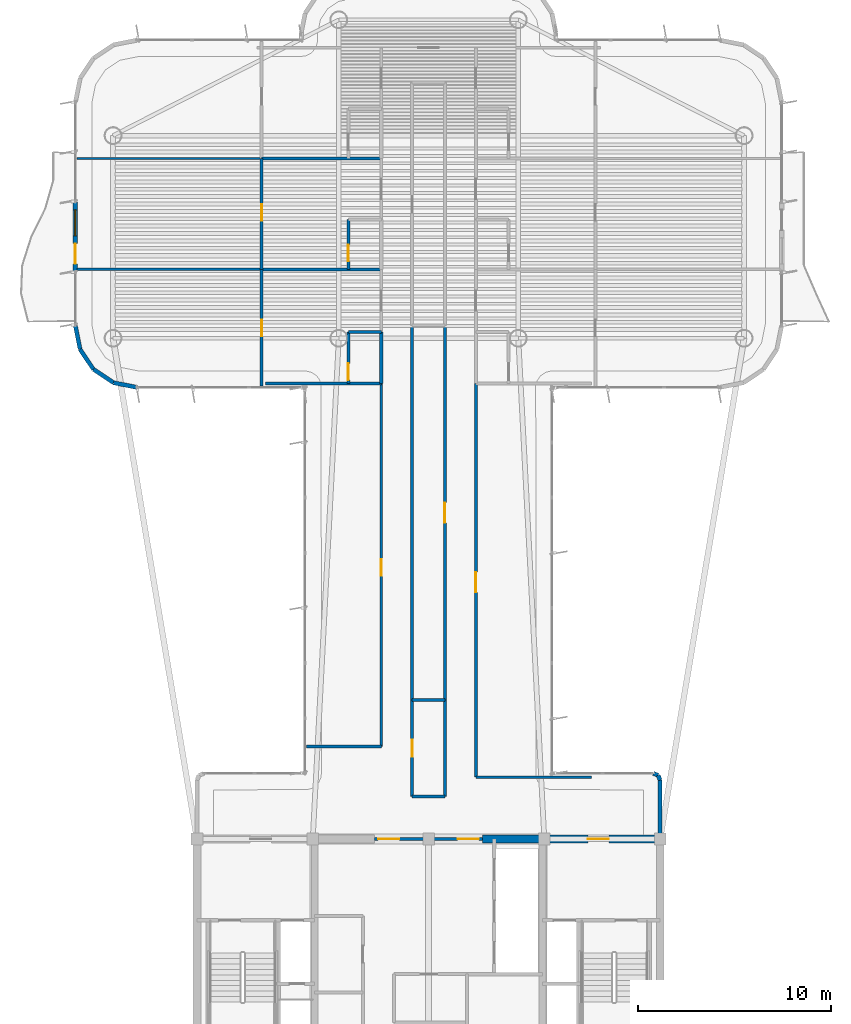
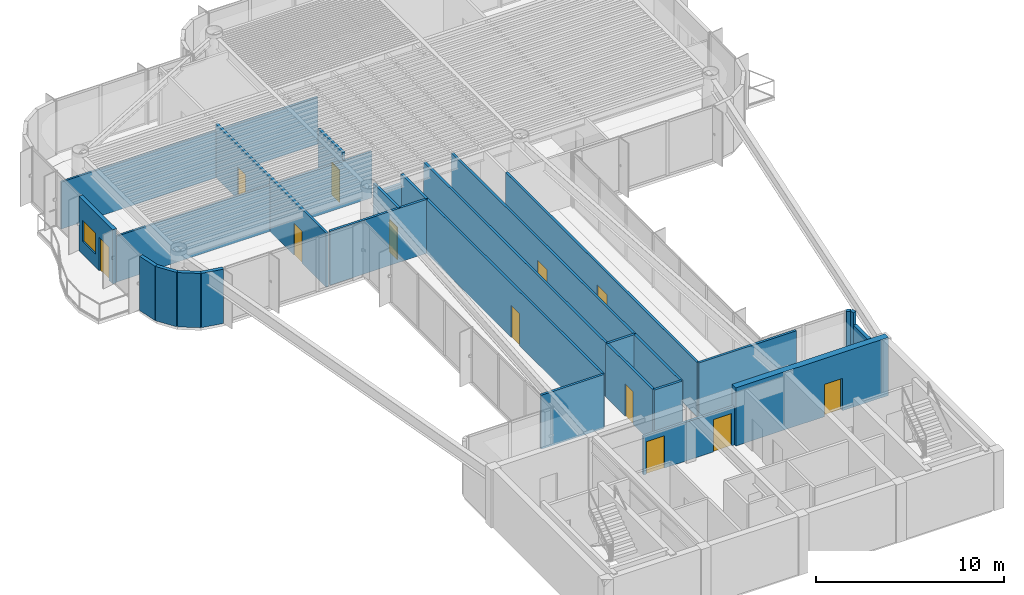
# One storey, part 11 of 16: 31 walls, 12 doors, 1 window, 13 openings.
"""IFC4 building model written with IfcOpenShell, lengths in metres."""

from ifc_helpers import new_model, si_unit, direction, frame, frame_2d, origin, origin_2d, place, context, subcontext, project, spatial, rectangle, extrude, source, transform, mapped, material, layer, layer_set, type_object, element, fill, save


model = new_model("IFC4")

# Units and contexts
model_context = context("Model", 3, precision=1e-05, world=origin(), true_north=direction((0.0, 1.0)))
body_context = subcontext(model_context, "Body", "Model", "MODEL_VIEW")
ifc_project = project(units=[si_unit("LENGTHUNIT", "METRE"), si_unit("AREAUNIT", "SQUARE_METRE"), si_unit("VOLUMEUNIT", "CUBIC_METRE"), si_unit("PLANEANGLEUNIT", "RADIAN"), si_unit("MASSUNIT", "GRAM", prefix="KILO")], contexts=[model_context])

# Site, building, storey
site_placement = place(None, origin())
site = spatial("IfcSite", under=ifc_project, at=site_placement, CompositionType="ELEMENT")
building_placement = place(site_placement, origin())
building = spatial("IfcBuilding", under=site, at=building_placement, Name="Brelvock Crest Care Tower", CompositionType="ELEMENT")
storey_placement = place(building_placement, frame((0.0, 0.0, 234.360107421875)))
storey = spatial("IfcBuildingStorey", under=building, at=storey_placement, Name="L59", CompositionType="ELEMENT", Elevation=234.360107421875)

# Wall, opening, door
ifc_material_1 = material(Name="Concrete S65 (65 MPa)", Category="concrete")
ifc_layer_1 = layer(ifc_material_1, 0.39990234375, Name="WL-CS4")
ifc_layer_set_1 = layer_set([ifc_layer_1], Name="Concrete S65 (65 MPa)")
wall_type_1 = type_object("IfcWallType", Name="WL-CS4", PredefinedType="SHEAR", material=ifc_layer_set_1)
wall_1_placement = place(storey_placement, frame((38.800048828125, 18.0, 0.0), z_axis=(0.0, 0.0, 1.0), x_axis=(1.0, 0.0, 0.0)))
wall_1 = element("IfcWall", 1, at=wall_1_placement, inside=storey, type_object=wall_type_1, Name="L59 Core North-East Shear Wall", PredefinedType="SHEAR", context=body_context, shape_type="SweptSolid", body=[
    extrude(rectangle(XDim=9.39990234375, YDim=0.39990234375, at=frame_2d((4.699951171875, 0.0))), origin(), (0.0, 0.0, 1.0), 3.77978515625),
])
opening_1_placement = place(wall_1_placement, frame((5.449951171875, 0.0, 0.0)))
opening_1 = element("IfcOpeningElement", 2, at=opening_1_placement, cuts=wall_1, Name="Opening FD-1", PredefinedType="OPENING", context=body_context, shape_type="SweptSolid", body=[
    extrude(rectangle(XDim=1.10009765625, YDim=2.10009765625, at=origin_2d()), frame((0.550048828125, 0.2099609375, 1.050048828125), z_axis=(0.0, -1.0, 0.0), x_axis=(1.0, 0.0, 0.0)), (0.0, 0.0, 1.0), 0.419921875),
])
ifc_material_2 = material(Name="Steel Grade 350", Category="steel")
door_type_1 = type_object("IfcDoorType", Name="DR-FFL1", OperationType="NOTDEFINED", PredefinedType="DOOR", material=ifc_material_2)
shared_shape_1 = source(origin(), body_context, "Body", "SweptSolid", [
    extrude(rectangle(XDim=1.10009765625, YDim=2.10009765625, at=origin_2d()), frame((0.550048828125, 0.02490234375, 1.050048828125), z_axis=(0.0, -1.0, 0.0), x_axis=(1.0, 0.0, 0.0)), (0.0, 0.0, 1.0), 0.050048828125),
])
door_1_placement = place(opening_1_placement, origin())
door_1 = element("IfcDoor", 3, at=door_1_placement, inside=storey, type_object=door_type_1, Name="L59 Firefighting Lobby FFL-2 Exit Door", OperationType="SINGLE_SWING_RIGHT", OverallHeight=2.10009765625, OverallWidth=1.10009765625, PredefinedType="DOOR", context=body_context, shape_type="MappedRepresentation", body=[
    mapped(shared_shape_1, transform((0.0, 0.0, 0.0), x_axis=(1.0, 0.0, 0.0), y_axis=(0.0, 1.0, 0.0), z_axis=(0.0, 0.0, 1.0), scale=1.0)),
])
fill(opening_1, door_1)

# Wall, openings, door, window
ifc_material_3 = material(Name="Precast concrete N40 (40 MPa)", Category="concrete")
ifc_layer_2 = layer(ifc_material_3, 0.239990234375, Name="WL-EX1")
ifc_layer_set_2 = layer_set([ifc_layer_2], Name="Precast concrete N40 (40 MPa)")
wall_type_2 = type_object("IfcWallType", Name="WL-EX1", PredefinedType="SOLIDWALL", material=ifc_layer_set_2)
wall_2_placement = place(storey_placement, frame((17.699951171875, 47.39990234375, 0.0), z_axis=(0.0, 0.0, 1.0), x_axis=(0.0, 1.0, 0.0)))
wall_2 = element("IfcWall", 4, at=wall_2_placement, inside=storey, type_object=wall_type_2, Name="L59 Exterior Spandrel Wall WL-BAL-L59-W", PredefinedType="SOLIDWALL", context=body_context, shape_type="SweptSolid", body=[
    extrude(rectangle(XDim=3.60009765625, YDim=0.239990234375, at=frame_2d((1.800048828125, 0.0))), origin(), (0.0, 0.0, 1.0), 3.52978515625),
])
opening_2_placement = place(wall_2_placement, frame((0.39990234375, 0.0, 0.0)))
opening_2 = element("IfcOpeningElement", 5, at=opening_2_placement, cuts=wall_2, Name="Opening BD-1", PredefinedType="OPENING", context=body_context, shape_type="SweptSolid", body=[
    extrude(rectangle(XDim=1.050048828125, YDim=2.14990234375, at=origin_2d()), frame((0.52490234375, 0.1298828125, 1.074951171875), z_axis=(0.0, -1.0, 0.0), x_axis=(1.0, 0.0, 0.0)), (0.0, 0.0, 1.0), 0.260009765625),
])
opening_3_placement = place(wall_2_placement, frame((1.85009765625, 0.0, 0.85009765625)))
opening_3 = element("IfcOpeningElement", 6, at=opening_3_placement, cuts=wall_2, Name="Opening W-01", PredefinedType="OPENING", context=body_context, shape_type="SweptSolid", body=[
    extrude(rectangle(XDim=1.35009765625, YDim=1.35009765625, at=origin_2d()), frame((0.675048828125, 0.1298828125, 0.675048828125), z_axis=(0.0, -1.0, 0.0), x_axis=(1.0, 0.0, 0.0)), (0.0, 0.0, 1.0), 0.260009765625),
])
ifc_material_4 = material(Name="Dark Glass Double Glazed Low-E", Category="glass")
door_type_2 = type_object("IfcDoorType", Name="DR-BAL1", OperationType="NOTDEFINED", PredefinedType="DOOR", material=ifc_material_4)
shared_shape_2 = source(origin(), body_context, "Body", "SweptSolid", [
    extrude(rectangle(XDim=1.050048828125, YDim=2.14990234375, at=origin_2d()), frame((0.52490234375, 0.02490234375, 1.074951171875), z_axis=(0.0, -1.0, 0.0), x_axis=(1.0, 0.0, 0.0)), (0.0, 0.0, 1.0), 0.050048828125),
])
door_2_placement = place(opening_2_placement, origin())
door_2 = element("IfcDoor", 7, at=door_2_placement, inside=storey, type_object=door_type_2, Name="L59 W Wave Balcony Glazed Door", OperationType="SINGLE_SWING_LEFT", OverallHeight=2.14990234375, OverallWidth=1.050048828125, PredefinedType="DOOR", context=body_context, shape_type="MappedRepresentation", body=[
    mapped(shared_shape_2, transform((0.0, 0.0, 0.0), x_axis=(1.0, 0.0, 0.0), y_axis=(0.0, 1.0, 0.0), z_axis=(0.0, 0.0, 1.0), scale=1.0)),
])
fill(opening_2, door_2)
window_type = type_object("IfcWindowType", Name="WN-EX1", PartitioningType="SINGLE_PANEL", PredefinedType="WINDOW", material=ifc_material_4)
shared_shape_3 = source(origin(), body_context, "Body", "SweptSolid", [
    extrude(rectangle(XDim=1.35009765625, YDim=1.35009765625, at=origin_2d()), frame((0.675048828125, 0.030029296875, 0.675048828125), z_axis=(0.0, -1.0, 0.0), x_axis=(1.0, 0.0, 0.0)), (0.0, 0.0, 1.0), 0.06005859375),
])
window_placement = place(opening_3_placement, origin())
window = element("IfcWindow", 8, at=window_placement, inside=storey, type_object=window_type, Name="L59 W Suite Casement Window", OverallHeight=1.35009765625, OverallWidth=1.35009765625, PartitioningType="SINGLE_PANEL", PredefinedType="WINDOW", context=body_context, shape_type="MappedRepresentation", body=[
    mapped(shared_shape_3, transform((0.0, 0.0, 0.0), x_axis=(1.0, 0.0, 0.0), y_axis=(0.0, 1.0, 0.0), z_axis=(0.0, 0.0, 1.0), scale=1.0)),
])
fill(opening_3, window)

# Walls
ifc_layer_3 = layer(ifc_material_3, 0.215087890625, Name="WL-EX2")
ifc_layer_set_3 = layer_set([ifc_layer_3], Name="Precast concrete N40 (40 MPa)")
wall_type_3 = type_object("IfcWallType", Name="WL-EX2", PredefinedType="SOLIDWALL", material=ifc_layer_set_3)
wall_3_placement = place(storey_placement, frame((47.8974609375, 21.297607421875, 0.0), z_axis=(0.0, 0.0, 1.0), x_axis=(0.382673670509, -0.923883575944, 0.0)))
element("IfcWall", 9, at=wall_3_placement, inside=storey, type_object=wall_type_3, Name="L59 Rounded Corner Wall 00", PredefinedType="SOLIDWALL", context=body_context, shape_type="SweptSolid", body=[
    extrude(rectangle(XDim=0.26806640625, YDim=0.215087890625, at=frame_2d((0.134033203125, 0.0))), origin(), (0.0, 0.0, 1.0), 3.52978515625),
])
wall_4_placement = place(storey_placement, frame((48.0, 21.050048828125, 0.0), z_axis=(0.0, 0.0, 1.0), x_axis=(0.0, -1.0, 0.0)))
element("IfcWall", 10, at=wall_4_placement, inside=storey, type_object=wall_type_3, Name="L59 Rounded Corner Wall 01", PredefinedType="SOLIDWALL", context=body_context, shape_type="SweptSolid", body=[
    extrude(rectangle(XDim=2.77001953125, YDim=0.215087890625, at=frame_2d((1.385009765625, 0.0))), origin(), (0.0, 0.0, 1.0), 2.7177734375),
])
for number, where, z_axis, x_axis, name in (
    (11, (20.89990234375, 41.39990234375, 0.0), (0.0, 0.0, 1.0), (-0.980775717779, 0.195138390419, 0.0), "L59 Rounded Corner Wall 13"),
    (12, (19.67529296875, 41.6435546875, 0.0), (0.0, 0.0, 1.0), (-0.831387912822, 0.555692485475, 0.0), "L59 Rounded Corner Wall 14"),
    (13, (18.63720703125, 42.33740234375, 0.0), (0.0, 0.0, 1.0), (-0.555557312883, 0.831478245117, 0.0), "L59 Rounded Corner Wall 15"),
    (14, (17.943603515625, 43.37548828125, 0.0), (0.0, 0.0, 1.0), (-0.195138390419, 0.980775717779, 0.0), "L59 Rounded Corner Wall 16"),
):
    element("IfcWall", number, at=place(storey_placement, frame(where, z_axis=z_axis, x_axis=x_axis)), inside=storey, type_object=wall_type_3, Name=name, PredefinedType="SOLIDWALL", context=body_context, shape_type="SweptSolid", body=[
        extrude(rectangle(XDim=1.24853515625, YDim=0.215087890625, at=frame_2d((0.624267578125, 0.0))), origin(), (0.0, 0.0, 1.0), 3.52978515625),
    ])
wall_5_placement = place(storey_placement, frame((47.64990234375, 21.39990234375, 0.0), z_axis=(0.0, 0.0, 1.0), x_axis=(0.924205486139, -0.381895560841, 0.0)))
element("IfcWall", 15, at=wall_5_placement, inside=storey, type_object=wall_type_3, Name="L59 Rounded Corner Wall 47", PredefinedType="SOLIDWALL", context=body_context, shape_type="SweptSolid", body=[
    extrude(rectangle(XDim=0.267822265625, YDim=0.215087890625, at=frame_2d((0.1337890625, 0.0))), origin(), (0.0, 0.0, 1.0), 3.52978515625),
])

# Wall, openings, doors
ifc_material_5 = material(Name="Masonry Blockwork Acoustic Partition", Category="masonry")
ifc_layer_4 = layer(ifc_material_5, 0.14990234375, Name="WL-INT1")
ifc_layer_set_4 = layer_set([ifc_layer_4], Name="Masonry Blockwork Acoustic Partition")
wall_type_4 = type_object("IfcWallType", Name="WL-INT1", PredefinedType="PARTITIONING", material=ifc_layer_set_4)
wall_6_placement = place(storey_placement, frame((33.199951171875, 18.0, 0.0), z_axis=(0.0, 0.0, 1.0), x_axis=(1.0, 0.0, 0.0)))
wall_6 = element("IfcWall", 16, at=wall_6_placement, inside=storey, type_object=wall_type_4, Name="L59 Interior Wall WL-CORE-NPORT-L59", PredefinedType="PARTITIONING", context=body_context, shape_type="SweptSolid", body=[
    extrude(rectangle(XDim=5.60009765625, YDim=0.14990234375, at=frame_2d((2.800048828125, 0.0))), origin(), (0.0, 0.0, 1.0), 2.514892578125),
])
opening_4_placement = place(wall_6_placement, frame((0.18994140625, 0.0, 0.0)))
opening_4 = element("IfcOpeningElement", 17, at=opening_4_placement, cuts=wall_6, Name="Opening FD-1", PredefinedType="OPENING", context=body_context, shape_type="SweptSolid", body=[
    extrude(rectangle(XDim=1.10009765625, YDim=2.10009765625, at=origin_2d()), frame((0.550048828125, 0.0849609375, 1.050048828125), z_axis=(0.0, -1.0, 0.0), x_axis=(1.0, 0.0, 0.0)), (0.0, 0.0, 1.0), 0.169921875),
])
opening_5_placement = place(wall_6_placement, frame((4.31005859375, 0.0, 0.0)))
opening_5 = element("IfcOpeningElement", 18, at=opening_5_placement, cuts=wall_6, Name="Opening FD-1", PredefinedType="OPENING", context=body_context, shape_type="SweptSolid", body=[
    extrude(rectangle(XDim=1.10009765625, YDim=2.10009765625, at=origin_2d()), frame((0.550048828125, 0.0849609375, 1.050048828125), z_axis=(0.0, -1.0, 0.0), x_axis=(1.0, 0.0, 0.0)), (0.0, 0.0, 1.0), 0.169921875),
])
door_3_placement = place(opening_4_placement, origin())
door_3 = element("IfcDoor", 19, at=door_3_placement, inside=storey, type_object=door_type_1, Name="L59 Lift Lobby North Smoke Door West", OperationType="SINGLE_SWING_LEFT", OverallHeight=2.10009765625, OverallWidth=1.10009765625, PredefinedType="DOOR", context=body_context, shape_type="MappedRepresentation", body=[
    mapped(shared_shape_1, transform((0.0, 0.0, 0.0), x_axis=(1.0, 0.0, 0.0), y_axis=(0.0, 1.0, 0.0), z_axis=(0.0, 0.0, 1.0), scale=1.0)),
])
fill(opening_4, door_3)
door_4_placement = place(opening_5_placement, origin())
door_4 = element("IfcDoor", 20, at=door_4_placement, inside=storey, type_object=door_type_1, Name="L59 Lift Lobby North Smoke Door East", OperationType="SINGLE_SWING_RIGHT", OverallHeight=2.10009765625, OverallWidth=1.10009765625, PredefinedType="DOOR", context=body_context, shape_type="MappedRepresentation", body=[
    mapped(shared_shape_1, transform((0.0, 0.0, 0.0), x_axis=(1.0, 0.0, 0.0), y_axis=(0.0, 1.0, 0.0), z_axis=(0.0, 0.0, 1.0), scale=1.0)),
])
fill(opening_5, door_4)

# Walls
wall_7_placement = place(storey_placement, frame((38.449951171875, 21.199951171875, 0.0), z_axis=(0.0, 0.0, 1.0), x_axis=(1.0, 0.0, 0.0)))
element("IfcWall", 21, at=wall_7_placement, inside=storey, type_object=wall_type_4, Name="L59 Interior Wall WL-BX-L59-THRE-S", PredefinedType="PARTITIONING", context=body_context, shape_type="SweptSolid", body=[
    extrude(rectangle(XDim=5.9931640625, YDim=0.14990234375, at=frame_2d((2.99658203125, 0.0))), origin(), (0.0, 0.0, 1.0), 3.5),
])
wall_8_placement = place(storey_placement, frame((29.678466796875, 22.800048828125, 0.0), z_axis=(0.0, 0.0, 1.0), x_axis=(1.0, 0.0, 0.0)))
element("IfcWall", 22, at=wall_8_placement, inside=storey, type_object=wall_type_4, Name="L59 Interior Wall WL-BX-L59-THRW-S", PredefinedType="PARTITIONING", context=body_context, shape_type="SweptSolid", body=[
    extrude(rectangle(XDim=3.87158203125, YDim=0.14990234375, at=frame_2d((1.935791015625, 0.0))), origin(), (0.0, 0.0, 1.0), 3.5),
])
wall_9_placement = place(storey_placement, frame((27.557861328125, 41.60009765625, 0.0), z_axis=(0.0, 0.0, 1.0), x_axis=(1.0, 0.0, 0.0)))
element("IfcWall", 23, at=wall_9_placement, inside=storey, type_object=wall_type_4, Name="L59 Interior Wall WL-BX-L59-CS-WS1-S", PredefinedType="PARTITIONING", context=body_context, shape_type="SweptSolid", body=[
    extrude(rectangle(XDim=5.9921875, YDim=0.14990234375, at=frame_2d((2.99609375, 0.0))), origin(), (0.0, 0.0, 1.0), 3.5),
])
wall_10_placement = place(storey_placement, frame((27.35009765625, 47.51611328125, 0.0), z_axis=(0.0, 0.0, 1.0), x_axis=(1.0, 0.0, 0.0)))
element("IfcWall", 24, at=wall_10_placement, inside=storey, type_object=wall_type_4, Name="L59 Interior Wall WL-BX-L59-CS-WS1-N", PredefinedType="PARTITIONING", context=body_context, shape_type="SweptSolid", body=[
    extrude(rectangle(XDim=6.199951171875, YDim=0.14990234375, at=frame_2d((3.10009765625, 0.0))), origin(), (0.0, 0.0, 1.0), 2.98193359375),
])
wall_11_placement = place(storey_placement, frame((27.35009765625, 53.258056640625, 0.0), z_axis=(0.0, 0.0, 1.0), x_axis=(1.0, 0.0, 0.0)))
element("IfcWall", 25, at=wall_11_placement, inside=storey, type_object=wall_type_4, Name="L59 Interior Wall WL-BX-L59-CS-WS2-N", PredefinedType="PARTITIONING", context=body_context, shape_type="SweptSolid", body=[
    extrude(rectangle(XDim=6.199951171875, YDim=0.14990234375, at=frame_2d((3.10009765625, 0.0))), origin(), (0.0, 0.0, 1.0), 3.054931640625),
])

# Wall, opening, door
wall_12_placement = place(storey_placement, frame((27.35009765625, 41.47998046875, 0.0), z_axis=(0.0, 0.0, 1.0), x_axis=(0.0, 1.0, 0.0)))
wall_12 = element("IfcWall", 26, at=wall_12_placement, inside=storey, type_object=wall_type_4, Name="L59 Interior Wall WL-RM-L59-WS1S", PredefinedType="PARTITIONING", context=body_context, shape_type="SweptSolid", body=[
    extrude(rectangle(XDim=6.0361328125, YDim=0.14990234375, at=frame_2d((3.01806640625, 0.0))), origin(), (0.0, 0.0, 1.0), 3.5),
])
opening_6_placement = place(wall_12_placement, frame((2.56005859375, 0.0, 0.0)))
opening_6 = element("IfcOpeningElement", 27, at=opening_6_placement, cuts=wall_12, Name="Opening ID-1", PredefinedType="OPENING", context=body_context, shape_type="SweptSolid", body=[
    extrude(rectangle(XDim=0.860107421875, YDim=2.10009765625, at=origin_2d()), frame((0.43017578125, 0.0849609375, 1.050048828125), z_axis=(0.0, -1.0, 0.0), x_axis=(1.0, 0.0, 0.0)), (0.0, 0.0, 1.0), 0.169921875),
])
ifc_material_6 = material(Name="Engineered Hardwood Timber", Category="wood")
door_type_3 = type_object("IfcDoorType", Name="DR-INT1", OperationType="NOTDEFINED", PredefinedType="DOOR", material=ifc_material_6)
shared_shape_4 = source(origin(), body_context, "Body", "SweptSolid", [
    extrude(rectangle(XDim=0.860107421875, YDim=2.10009765625, at=origin_2d()), frame((0.43017578125, 0.02490234375, 1.050048828125), z_axis=(0.0, -1.0, 0.0), x_axis=(1.0, 0.0, 0.0)), (0.0, 0.0, 1.0), 0.050048828125),
])
door_5_placement = place(opening_6_placement, origin())
door_5 = element("IfcDoor", 28, at=door_5_placement, inside=storey, type_object=door_type_3, Name="L59 Assisted Care Mobility Store Door WS1S", OperationType="SINGLE_SWING_LEFT", OverallHeight=2.10009765625, OverallWidth=0.860107421875, PredefinedType="DOOR", context=body_context, shape_type="MappedRepresentation", body=[
    mapped(shared_shape_4, transform((0.0, 0.0, 0.0), x_axis=(1.0, 0.0, 0.0), y_axis=(0.0, 1.0, 0.0), z_axis=(0.0, 0.0, 1.0), scale=1.0)),
])
fill(opening_6, door_5)

wall_13_placement = place(storey_placement, frame((27.35009765625, 47.51611328125, 0.0), z_axis=(0.0, 0.0, 1.0), x_axis=(0.0, 1.0, 0.0)))
wall_13 = element("IfcWall", 29, at=wall_13_placement, inside=storey, type_object=wall_type_4, Name="L59 Interior Wall WL-RM-L59-WS2S", PredefinedType="PARTITIONING", context=body_context, shape_type="SweptSolid", body=[
    extrude(rectangle(XDim=5.741943359375, YDim=0.14990234375, at=frame_2d((2.87109375, 0.0))), origin(), (0.0, 0.0, 1.0), 3.5),
])
opening_7_placement = place(wall_13_placement, frame((2.52392578125, 0.0, 0.0)))
opening_7 = element("IfcOpeningElement", 30, at=opening_7_placement, cuts=wall_13, Name="Opening ID-1", PredefinedType="OPENING", context=body_context, shape_type="SweptSolid", body=[
    extrude(rectangle(XDim=0.860107421875, YDim=2.10009765625, at=origin_2d()), frame((0.43017578125, 0.0849609375, 1.050048828125), z_axis=(0.0, -1.0, 0.0), x_axis=(1.0, 0.0, 0.0)), (0.0, 0.0, 1.0), 0.169921875),
])
door_6_placement = place(opening_7_placement, origin())
door_6 = element("IfcDoor", 31, at=door_6_placement, inside=storey, type_object=door_type_3, Name="L59 Assisted Care Mobility Store Door WS2S", OperationType="SINGLE_SWING_LEFT", OverallHeight=2.10009765625, OverallWidth=0.860107421875, PredefinedType="DOOR", context=body_context, shape_type="MappedRepresentation", body=[
    mapped(shared_shape_4, transform((0.0, 0.0, 0.0), x_axis=(1.0, 0.0, 0.0), y_axis=(0.0, 1.0, 0.0), z_axis=(0.0, 0.0, 1.0), scale=1.0)),
])
fill(opening_7, door_6)

wall_14_placement = place(storey_placement, frame((33.550048828125, 22.800048828125, 0.0), z_axis=(0.0, 0.0, 1.0), x_axis=(0.0, 1.0, 0.0)))
wall_14 = element("IfcWall", 32, at=wall_14_placement, inside=storey, type_object=wall_type_4, Name="L59 Interior Wall WL-RM-L59-THRW", PredefinedType="PARTITIONING", context=body_context, shape_type="SweptSolid", body=[
    extrude(rectangle(XDim=18.800048828125, YDim=0.14990234375, at=frame_2d((9.39990234375, 0.0))), origin(), (0.0, 0.0, 1.0), 3.5),
])
opening_8_placement = place(wall_14_placement, frame((8.840087890625, 0.0, 0.0)))
opening_8 = element("IfcOpeningElement", 33, at=opening_8_placement, cuts=wall_14, Name="Opening ID-1", PredefinedType="OPENING", context=body_context, shape_type="SweptSolid", body=[
    extrude(rectangle(XDim=0.860107421875, YDim=2.10009765625, at=origin_2d()), frame((0.43017578125, 0.0849609375, 1.050048828125), z_axis=(0.0, -1.0, 0.0), x_axis=(1.0, 0.0, 0.0)), (0.0, 0.0, 1.0), 0.169921875),
])
door_7_placement = place(opening_8_placement, origin())
door_7 = element("IfcDoor", 34, at=door_7_placement, inside=storey, type_object=door_type_3, Name="L59 Quiet Family Consultation Room Door THRW", OperationType="SINGLE_SWING_LEFT", OverallHeight=2.10009765625, OverallWidth=0.860107421875, PredefinedType="DOOR", context=body_context, shape_type="MappedRepresentation", body=[
    mapped(shared_shape_4, transform((0.0, 0.0, 0.0), x_axis=(1.0, 0.0, 0.0), y_axis=(0.0, 1.0, 0.0), z_axis=(0.0, 0.0, 1.0), scale=1.0)),
])
fill(opening_8, door_7)

# Wall
wall_15_placement = place(storey_placement, frame((35.14990234375, 25.199951171875, 0.0), z_axis=(0.0, 0.0, 1.0), x_axis=(0.0, 1.0, 0.0)))
element("IfcWall", 35, at=wall_15_placement, inside=storey, type_object=wall_type_4, Name="L59 Interior Wall WL-BX-L59-ISNS-W", PredefinedType="PARTITIONING", context=body_context, shape_type="SweptSolid", body=[
    extrude(rectangle(XDim=19.420166015625, YDim=0.14990234375, at=frame_2d((9.7099609375, 0.0))), origin(), (0.0, 0.0, 1.0), 3.5),
])

# Wall, opening, door
wall_16_placement = place(storey_placement, frame((36.85009765625, 25.199951171875, 0.0), z_axis=(0.0, 0.0, 1.0), x_axis=(0.0, 1.0, 0.0)))
wall_16 = element("IfcWall", 36, at=wall_16_placement, inside=storey, type_object=wall_type_4, Name="L59 Interior Wall WL-RM-L59-ISNS", PredefinedType="PARTITIONING", context=body_context, shape_type="SweptSolid", body=[
    extrude(rectangle(XDim=19.420166015625, YDim=0.14990234375, at=frame_2d((9.7099609375, 0.0))), origin(), (0.0, 0.0, 1.0), 3.5),
])
opening_9_placement = place(wall_16_placement, frame((9.18505859375, 0.0, 0.0)))
opening_9 = element("IfcOpeningElement", 37, at=opening_9_placement, cuts=wall_16, Name="Opening CLD-1", PredefinedType="OPENING", context=body_context, shape_type="SweptSolid", body=[
    extrude(rectangle(XDim=1.050048828125, YDim=2.10009765625, at=origin_2d()), frame((0.52490234375, 0.0849609375, 1.050048828125), z_axis=(0.0, -1.0, 0.0), x_axis=(1.0, 0.0, 0.0)), (0.0, 0.0, 1.0), 0.169921875),
])
door_type_4 = type_object("IfcDoorType", Name="DR-CLN1", OperationType="NOTDEFINED", PredefinedType="DOOR", material=ifc_material_6)
shared_shape_5 = source(origin(), body_context, "Body", "SweptSolid", [
    extrude(rectangle(XDim=1.050048828125, YDim=2.10009765625, at=origin_2d()), frame((0.52490234375, 0.02490234375, 1.050048828125), z_axis=(0.0, -1.0, 0.0), x_axis=(1.0, 0.0, 0.0)), (0.0, 0.0, 1.0), 0.050048828125),
])
door_8_placement = place(opening_9_placement, origin())
door_8 = element("IfcDoor", 38, at=door_8_placement, inside=storey, type_object=door_type_4, Name="L59 Care Concierge and Triage Station Door ISNS", OperationType="SINGLE_SWING_LEFT", OverallHeight=2.10009765625, OverallWidth=1.050048828125, PredefinedType="DOOR", context=body_context, shape_type="MappedRepresentation", body=[
    mapped(shared_shape_5, transform((0.0, 0.0, 0.0), x_axis=(1.0, 0.0, 0.0), y_axis=(0.0, 1.0, 0.0), z_axis=(0.0, 0.0, 1.0), scale=1.0)),
])
fill(opening_9, door_8)

wall_17_placement = place(storey_placement, frame((38.449951171875, 21.199951171875, 0.0), z_axis=(0.0, 0.0, 1.0), x_axis=(0.0, 1.0, 0.0)))
wall_17 = element("IfcWall", 39, at=wall_17_placement, inside=storey, type_object=wall_type_4, Name="L59 Interior Wall WL-RM-L59-THRE", PredefinedType="PARTITIONING", context=body_context, shape_type="SweptSolid", body=[
    extrude(rectangle(XDim=20.400146484375, YDim=0.14990234375, at=frame_2d((10.2001953125, 0.0))), origin(), (0.0, 0.0, 1.0), 3.5),
])
opening_10_placement = place(wall_17_placement, frame((9.574951171875, 0.0, 0.0)))
opening_10 = element("IfcOpeningElement", 40, at=opening_10_placement, cuts=wall_17, Name="Opening CLD-1", PredefinedType="OPENING", context=body_context, shape_type="SweptSolid", body=[
    extrude(rectangle(XDim=1.050048828125, YDim=2.10009765625, at=origin_2d()), frame((0.52490234375, 0.0849609375, 1.050048828125), z_axis=(0.0, -1.0, 0.0), x_axis=(1.0, 0.0, 0.0)), (0.0, 0.0, 1.0), 0.169921875),
])
door_9_placement = place(opening_10_placement, origin())
door_9 = element("IfcDoor", 41, at=door_9_placement, inside=storey, type_object=door_type_4, Name="L59 Allied Health Therapy Room Door THRE", OperationType="SINGLE_SWING_LEFT", OverallHeight=2.10009765625, OverallWidth=1.050048828125, PredefinedType="DOOR", context=body_context, shape_type="MappedRepresentation", body=[
    mapped(shared_shape_5, transform((0.0, 0.0, 0.0), x_axis=(1.0, 0.0, 0.0), y_axis=(0.0, 1.0, 0.0), z_axis=(0.0, 0.0, 1.0), scale=1.0)),
])
fill(opening_10, door_9)

# Walls
ifc_material_7 = material(Name="Gypsum Plasterboard Partition", Category="gypsum")
ifc_layer_5 = layer(ifc_material_7, 0.1201171875, Name="WL-INT2")
ifc_layer_set_5 = layer_set([ifc_layer_5], Name="Gypsum Plasterboard Partition")
wall_type_5 = type_object("IfcWallType", Name="WL-INT2", PredefinedType="PARTITIONING", material=ifc_layer_set_5)
wall_18_placement = place(storey_placement, frame((17.780029296875, 47.51611328125, 0.0), z_axis=(0.0, 0.0, 1.0), x_axis=(1.0, 0.0, 0.0)))
element("IfcWall", 42, at=wall_18_placement, inside=storey, type_object=wall_type_5, Name="L59 Interior Wall WL-BX-L59-WS1S-N", PredefinedType="PARTITIONING", context=body_context, shape_type="SweptSolid", body=[
    extrude(rectangle(XDim=9.570068359375, YDim=0.1201171875, at=frame_2d((4.78515625, 0.0))), origin(), (0.0, 0.0, 1.0), 2.98193359375),
])
wall_19_placement = place(storey_placement, frame((17.780029296875, 53.258056640625, 0.0), z_axis=(0.0, 0.0, 1.0), x_axis=(1.0, 0.0, 0.0)))
element("IfcWall", 43, at=wall_19_placement, inside=storey, type_object=wall_type_5, Name="L59 Interior Wall WL-BX-L59-WS2S-N", PredefinedType="PARTITIONING", context=body_context, shape_type="SweptSolid", body=[
    extrude(rectangle(XDim=9.570068359375, YDim=0.1201171875, at=frame_2d((4.78515625, 0.0))), origin(), (0.0, 0.0, 1.0), 3.054931640625),
])
ifc_layer_6 = layer(ifc_material_7, 0.159912109375, Name="WL-PLM1")
ifc_layer_set_6 = layer_set([ifc_layer_6], Name="Gypsum Plasterboard Partition")
wall_type_6 = type_object("IfcWallType", Name="WL-PLM1", PredefinedType="PLUMBINGWALL", material=ifc_layer_set_6)
for number, where, z_axis, x_axis, name in (
    (44, (35.14990234375, 20.199951171875, 0.0), (0.0, 0.0, 1.0), (1.0, 0.0, 0.0), "L59 Interior Wall WL-BX-L59-ISWC-S"),
    (45, (35.14990234375, 25.199951171875, 0.0), (0.0, 0.0, 1.0), (1.0, 0.0, 0.0), "L59 Interior Wall WL-BX-L59-ISNS-S"),
):
    element("IfcWall", number, at=place(storey_placement, frame(where, z_axis=z_axis, x_axis=x_axis)), inside=storey, type_object=wall_type_6, Name=name, PredefinedType="PLUMBINGWALL", context=body_context, shape_type="SweptSolid", body=[
        extrude(rectangle(XDim=1.7001953125, YDim=0.159912109375, at=frame_2d((0.85009765625, 0.0))), origin(), (0.0, 0.0, 1.0), 3.5),
    ])
wall_20_placement = place(storey_placement, frame((31.85009765625, 44.261962890625, 0.0), z_axis=(0.0, 0.0, 1.0), x_axis=(1.0, 0.0, 0.0)))
element("IfcWall", 46, at=wall_20_placement, inside=storey, type_object=wall_type_6, Name="L59 Interior Wall WL-CENS2-L59-WS1", PredefinedType="PLUMBINGWALL", context=body_context, shape_type="SweptSolid", body=[
    extrude(rectangle(XDim=1.699951171875, YDim=0.159912109375, at=frame_2d((0.85009765625, 0.0))), origin(), (0.0, 0.0, 1.0), 2.90283203125),
])

# Wall, opening, door
wall_21_placement = place(storey_placement, frame((31.85009765625, 41.60009765625, 0.0), z_axis=(0.0, 0.0, 1.0), x_axis=(0.0, 1.0, 0.0)))
wall_21 = element("IfcWall", 47, at=wall_21_placement, inside=storey, type_object=wall_type_6, Name="L59 Interior Wall WL-CENS1-L59-WS1", PredefinedType="PLUMBINGWALL", context=body_context, shape_type="SweptSolid", body=[
    extrude(rectangle(XDim=2.661865234375, YDim=0.159912109375, at=frame_2d((1.3310546875, 0.0))), origin(), (0.0, 0.0, 1.0), 3.5),
])
opening_11_placement = place(wall_21_placement, frame((0.179931640625, 0.0, 0.0)))
opening_11 = element("IfcOpeningElement", 48, at=opening_11_placement, cuts=wall_21, Name="Opening WD-1", PredefinedType="OPENING", context=body_context, shape_type="SweptSolid", body=[
    extrude(rectangle(XDim=0.860107421875, YDim=2.10009765625, at=origin_2d()), frame((0.43017578125, 0.08984375, 1.050048828125), z_axis=(0.0, -1.0, 0.0), x_axis=(1.0, 0.0, 0.0)), (0.0, 0.0, 1.0), 0.179931640625),
])
door_type_5 = type_object("IfcDoorType", Name="DR-WC1", OperationType="NOTDEFINED", PredefinedType="DOOR", material=ifc_material_6)
shared_shape_6 = source(origin(), body_context, "Body", "SweptSolid", [
    extrude(rectangle(XDim=0.860107421875, YDim=2.10009765625, at=origin_2d()), frame((0.43017578125, 0.02490234375, 1.050048828125), z_axis=(0.0, -1.0, 0.0), x_axis=(1.0, 0.0, 0.0)), (0.0, 0.0, 1.0), 0.050048828125),
])
door_10_placement = place(opening_11_placement, origin())
door_10 = element("IfcDoor", 49, at=door_10_placement, inside=storey, type_object=door_type_5, Name="L59 Care En-Suite Door WS1", OperationType="SINGLE_SWING_LEFT", OverallHeight=2.10009765625, OverallWidth=0.860107421875, PredefinedType="DOOR", context=body_context, shape_type="MappedRepresentation", body=[
    mapped(shared_shape_6, transform((0.0, 0.0, 0.0), x_axis=(1.0, 0.0, 0.0), y_axis=(0.0, 1.0, 0.0), z_axis=(0.0, 0.0, 1.0), scale=1.0)),
])
fill(opening_11, door_10)

wall_22_placement = place(storey_placement, frame((31.85009765625, 47.51611328125, 0.0), z_axis=(0.0, 0.0, 1.0), x_axis=(0.0, 1.0, 0.0)))
wall_22 = element("IfcWall", 50, at=wall_22_placement, inside=storey, type_object=wall_type_6, Name="L59 Interior Wall WL-CENS1-L59-WS2", PredefinedType="PLUMBINGWALL", context=body_context, shape_type="SweptSolid", body=[
    extrude(rectangle(XDim=2.583984375, YDim=0.159912109375, at=frame_2d((1.2919921875, 0.0))), origin(), (0.0, 0.0, 1.0), 3.5),
])
opening_12_placement = place(wall_22_placement, frame((0.419921875, 0.0, 0.0)))
opening_12 = element("IfcOpeningElement", 51, at=opening_12_placement, cuts=wall_22, Name="Opening WD-1", PredefinedType="OPENING", context=body_context, shape_type="SweptSolid", body=[
    extrude(rectangle(XDim=0.860107421875, YDim=2.10009765625, at=origin_2d()), frame((0.43017578125, 0.08984375, 1.050048828125), z_axis=(0.0, -1.0, 0.0), x_axis=(1.0, 0.0, 0.0)), (0.0, 0.0, 1.0), 0.179931640625),
])
door_11_placement = place(opening_12_placement, origin())
door_11 = element("IfcDoor", 52, at=door_11_placement, inside=storey, type_object=door_type_5, Name="L59 Care En-Suite Door WS2", OperationType="SINGLE_SWING_LEFT", OverallHeight=2.10009765625, OverallWidth=0.860107421875, PredefinedType="DOOR", context=body_context, shape_type="MappedRepresentation", body=[
    mapped(shared_shape_6, transform((0.0, 0.0, 0.0), x_axis=(1.0, 0.0, 0.0), y_axis=(0.0, 1.0, 0.0), z_axis=(0.0, 0.0, 1.0), scale=1.0)),
])
fill(opening_12, door_11)

# Wall
wall_23_placement = place(storey_placement, frame((33.550048828125, 41.60009765625, 0.0), z_axis=(0.0, 0.0, 1.0), x_axis=(0.0, 1.0, 0.0)))
element("IfcWall", 53, at=wall_23_placement, inside=storey, type_object=wall_type_6, Name="L59 Interior Wall WL-CENS0-L59-WS1", PredefinedType="PLUMBINGWALL", context=body_context, shape_type="SweptSolid", body=[
    extrude(rectangle(XDim=2.661865234375, YDim=0.159912109375, at=frame_2d((1.3310546875, 0.0))), origin(), (0.0, 0.0, 1.0), 3.5),
])

# Wall, opening, door
wall_24_placement = place(storey_placement, frame((35.14990234375, 20.199951171875, 0.0), z_axis=(0.0, 0.0, 1.0), x_axis=(0.0, 1.0, 0.0)))
wall_24 = element("IfcWall", 54, at=wall_24_placement, inside=storey, type_object=wall_type_6, Name="L59 Interior Wall WL-RM-L59-ISWC", PredefinedType="PLUMBINGWALL", context=body_context, shape_type="SweptSolid", body=[
    extrude(rectangle(XDim=5.0, YDim=0.159912109375, at=frame_2d((2.5, 0.0))), origin(), (0.0, 0.0, 1.0), 3.5),
])
opening_13_placement = place(wall_24_placement, frame((2.070068359375, 0.0, 0.0)))
opening_13 = element("IfcOpeningElement", 55, at=opening_13_placement, cuts=wall_24, Name="Opening WD-1", PredefinedType="OPENING", context=body_context, shape_type="SweptSolid", body=[
    extrude(rectangle(XDim=0.860107421875, YDim=2.10009765625, at=origin_2d()), frame((0.43017578125, 0.08984375, 1.050048828125), z_axis=(0.0, -1.0, 0.0), x_axis=(1.0, 0.0, 0.0)), (0.0, 0.0, 1.0), 0.179931640625),
])
door_12_placement = place(opening_13_placement, origin())
door_12 = element("IfcDoor", 56, at=door_12_placement, inside=storey, type_object=door_type_5, Name="L59 High-Zone Accessible WC Door ISWC", OperationType="SINGLE_SWING_LEFT", OverallHeight=2.10009765625, OverallWidth=0.860107421875, PredefinedType="DOOR", context=body_context, shape_type="MappedRepresentation", body=[
    mapped(shared_shape_6, transform((0.0, 0.0, 0.0), x_axis=(1.0, 0.0, 0.0), y_axis=(0.0, 1.0, 0.0), z_axis=(0.0, 0.0, 1.0), scale=1.0)),
])
fill(opening_13, door_12)

# Wall
wall_25_placement = place(storey_placement, frame((36.85009765625, 20.199951171875, 0.0), z_axis=(0.0, 0.0, 1.0), x_axis=(0.0, 1.0, 0.0)))
element("IfcWall", 57, at=wall_25_placement, inside=storey, type_object=wall_type_6, Name="L59 Interior Wall WL-BX-L59-ISWC-E", PredefinedType="PLUMBINGWALL", context=body_context, shape_type="SweptSolid", body=[
    extrude(rectangle(XDim=5.0, YDim=0.159912109375, at=frame_2d((2.5, 0.0))), origin(), (0.0, 0.0, 1.0), 3.5),
])

save(model, "model.ifc")
